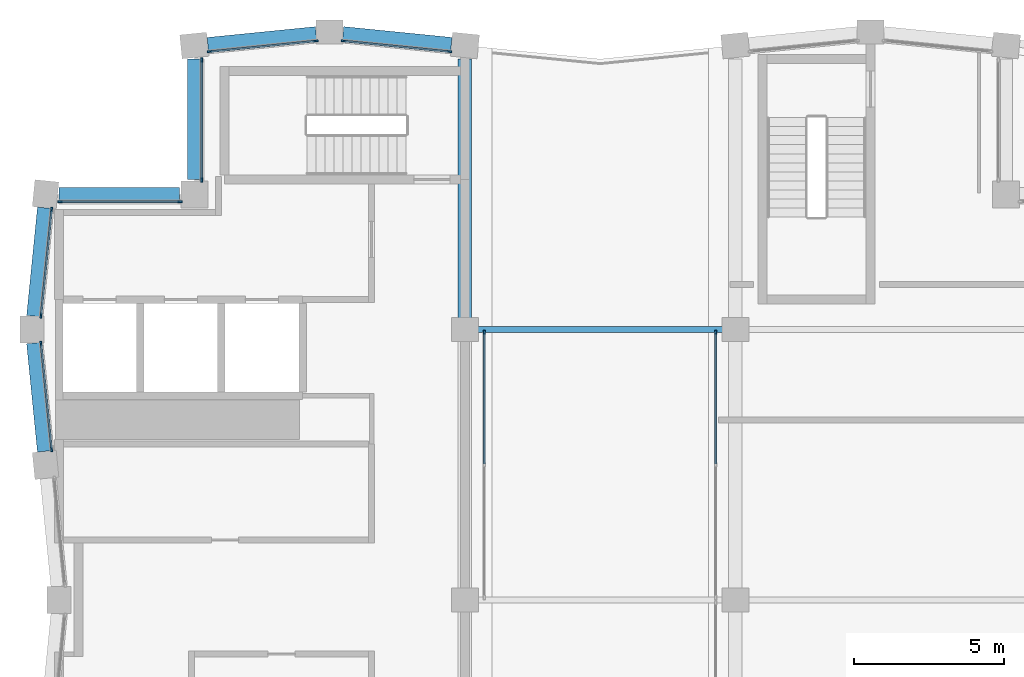
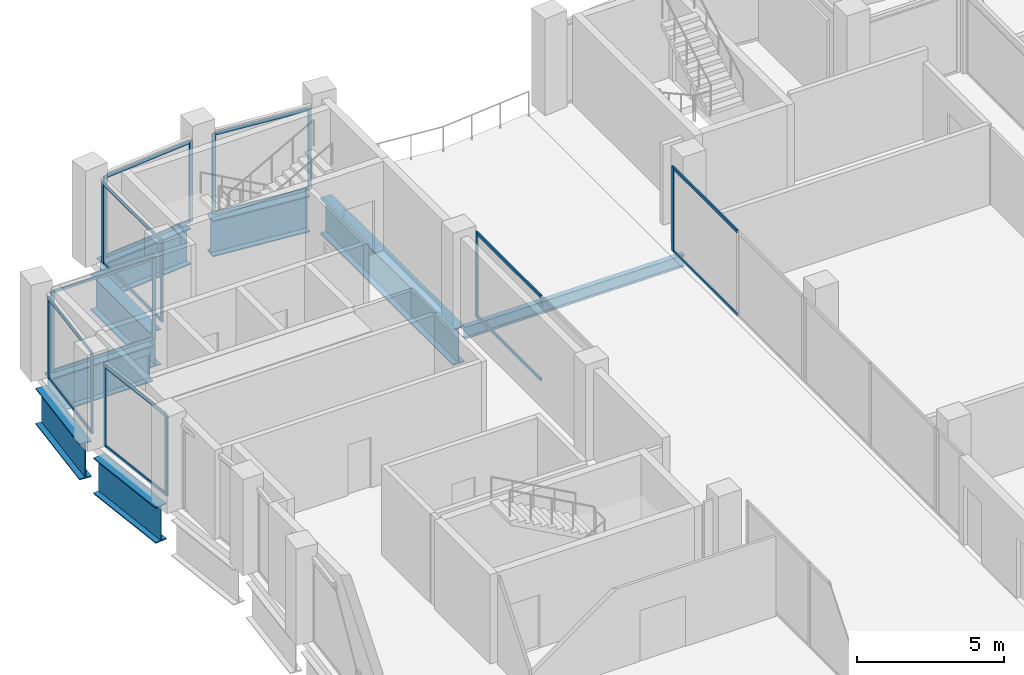
# One storey, part 8 of 14: 30 members, 8 beams, 8 elements without a shape of their own.
"""IFC4 building model written with IfcOpenShell, lengths in metres."""

from ifc_helpers import new_model, si_unit, direction, frame, origin, origin_2d, place, context, subcontext, project, spatial, rectangle, i_section, extrude, material, material_profile, profile_set, type_object, element, aggregate, save


model = new_model("IFC4")

# Units and contexts
model_context = context("Model", 3, precision=1e-05, world=origin(), true_north=direction((0.0, 1.0)))
body_context = subcontext(model_context, "Body", "Model", "MODEL_VIEW")
ifc_project = project(units=[si_unit("LENGTHUNIT", "METRE"), si_unit("AREAUNIT", "SQUARE_METRE"), si_unit("VOLUMEUNIT", "CUBIC_METRE"), si_unit("PLANEANGLEUNIT", "RADIAN"), si_unit("MASSUNIT", "GRAM", prefix="KILO")], contexts=[model_context])

# Site, building, storey
site_placement = place(None, origin())
site = spatial("IfcSite", under=ifc_project, at=site_placement, CompositionType="ELEMENT")
building_placement = place(site_placement, origin())
building = spatial("IfcBuilding", under=site, at=building_placement, Name="Brondeck Convention Tower", CompositionType="ELEMENT")
storey_placement = place(building_placement, frame((0.0, 0.0, 282.800048828125)))
storey = spatial("IfcBuildingStorey", under=building, at=storey_placement, Name="L70", CompositionType="ELEMENT", Elevation=282.800048828125)

# Curtain wall, member
ifc_material_1 = material(Name="Aluminium, bronze anodised", Category="aluminium")
curtain_wall_type = type_object("IfcCurtainWallType", Name="Crown screen curtain wall", PredefinedType="NOTDEFINED", material=ifc_material_1)
curtain_wall_1_placement = place(storey_placement, origin())
curtain_wall_1 = element("IfcCurtainWall", 1, at=curtain_wall_1_placement, inside=storey, type_object=curtain_wall_type, Name="ENV-CW4-L70-K1-SLOT-W-05", PredefinedType="NOTDEFINED")
ifc_material_profile_1 = material_profile(ifc_material_1, rectangle(XDim=0.06005859375, YDim=0.139892578125, at=origin_2d()), Name="CW4 mullion")
ifc_profile_set_1 = profile_set([ifc_material_profile_1], Name="Aluminium, bronze anodised")
member_type_1 = type_object("IfcMemberType", Name="CW4 mullion", PredefinedType="MULLION", material=ifc_profile_set_1)
member_1_placement = place(storey_placement, frame((14.14990234375, 53.909912109375, 0.0), z_axis=(0.0, 0.0, 1.0), x_axis=(1.0, 0.0, 0.0)))
member_1 = element("IfcMember", 2, at=member_1_placement, type_object=member_type_1, Name="CW4 mullion 1", PredefinedType="MULLION", context=body_context, shape_type="SweptSolid", body=[
    extrude(rectangle(XDim=0.06005859375, YDim=0.139892578125, at=origin_2d()), origin(), (0.0, 0.0, 1.0), 3.5),
])

# Curtain wall, members
curtain_wall_2_placement = place(storey_placement, origin())
curtain_wall_2 = element("IfcCurtainWall", 3, at=curtain_wall_2_placement, inside=storey, type_object=curtain_wall_type, Name="ENV-CW4-L70-K1-A-N-02", PredefinedType="NOTDEFINED")
member_2_placement = place(storey_placement, frame((9.45263671875, 63.603515625, 0.0), z_axis=(0.0, 0.0, 1.0), x_axis=(0.099517385048, 0.995035823513, 0.0)))
member_2 = element("IfcMember", 4, at=member_2_placement, type_object=member_type_1, Name="CW4 mullion 1", PredefinedType="MULLION", context=body_context, shape_type="SweptSolid", body=[
    extrude(rectangle(XDim=0.06005859375, YDim=0.139892578125, at=origin_2d()), origin(), (0.0, 0.0, 1.0), 3.349853515625),
])
member_3_placement = place(storey_placement, frame((12.99755859375, 63.2490234375, 0.0), z_axis=(0.0, 0.0, 1.0), x_axis=(0.099517385048, 0.995035823513, 0.0)))
member_3 = element("IfcMember", 5, at=member_3_placement, type_object=member_type_1, Name="CW4 mullion 2", PredefinedType="MULLION", context=body_context, shape_type="SweptSolid", body=[
    extrude(rectangle(XDim=0.06005859375, YDim=0.139892578125, at=origin_2d()), origin(), (0.0, 0.0, 1.0), 3.349853515625),
])

curtain_wall_3_placement = place(storey_placement, origin())
curtain_wall_3 = element("IfcCurtainWall", 6, at=curtain_wall_3_placement, inside=storey, type_object=curtain_wall_type, Name="ENV-CW4-L70-K1-A-N-01", PredefinedType="NOTDEFINED")
member_4_placement = place(storey_placement, frame((5.00244140625, 63.2490234375, 0.0), z_axis=(0.0, 0.0, 1.0), x_axis=(-0.099517385048, 0.995035823513, 0.0)))
member_4 = element("IfcMember", 7, at=member_4_placement, type_object=member_type_1, Name="CW4 mullion 1", PredefinedType="MULLION", context=body_context, shape_type="SweptSolid", body=[
    extrude(rectangle(XDim=0.06005859375, YDim=0.139892578125, at=origin_2d()), origin(), (0.0, 0.0, 1.0), 3.349853515625),
])
member_5_placement = place(storey_placement, frame((8.54736328125, 63.603515625, 0.0), z_axis=(0.0, 0.0, 1.0), x_axis=(-0.099517385048, 0.995035823513, 0.0)))
member_5 = element("IfcMember", 8, at=member_5_placement, type_object=member_type_1, Name="CW4 mullion 2", PredefinedType="MULLION", context=body_context, shape_type="SweptSolid", body=[
    extrude(rectangle(XDim=0.06005859375, YDim=0.139892578125, at=origin_2d()), origin(), (0.0, 0.0, 1.0), 3.349853515625),
])

curtain_wall_4_placement = place(storey_placement, origin())
curtain_wall_4 = element("IfcCurtainWall", 9, at=curtain_wall_4_placement, inside=storey, type_object=curtain_wall_type, Name="ENV-CW4-L70-K1-NC-NW-01", PredefinedType="NOTDEFINED")
member_6_placement = place(storey_placement, frame((4.75, 58.97998046875, 0.0), z_axis=(0.0, 0.0, 1.0), x_axis=(-1.0, 0.0, 0.0)))
member_6 = element("IfcMember", 10, at=member_6_placement, type_object=member_type_1, Name="CW4 mullion 1", PredefinedType="MULLION", context=body_context, shape_type="SweptSolid", body=[
    extrude(rectangle(XDim=0.06005859375, YDim=0.139892578125, at=origin_2d()), origin(), (0.0, 0.0, 1.0), 3.349853515625),
])
member_7_placement = place(storey_placement, frame((4.75, 62.969970703125, 0.0), z_axis=(0.0, 0.0, 1.0), x_axis=(-1.0, 0.0, 0.0)))
member_7 = element("IfcMember", 11, at=member_7_placement, type_object=member_type_1, Name="CW4 mullion 2", PredefinedType="MULLION", context=body_context, shape_type="SweptSolid", body=[
    extrude(rectangle(XDim=0.06005859375, YDim=0.139892578125, at=origin_2d()), origin(), (0.0, 0.0, 1.0), 3.349853515625),
])

curtain_wall_5_placement = place(storey_placement, origin())
curtain_wall_5 = element("IfcCurtainWall", 12, at=curtain_wall_5_placement, inside=storey, type_object=curtain_wall_type, Name="ENV-CW4-L70-K1-NC-NW-02", PredefinedType="NOTDEFINED")
member_8_placement = place(storey_placement, frame((0.030029296875, 58.25, 0.0), z_axis=(0.0, 0.0, 1.0), x_axis=(0.0, 1.0, 0.0)))
member_8 = element("IfcMember", 13, at=member_8_placement, type_object=member_type_1, Name="CW4 mullion 1", PredefinedType="MULLION", context=body_context, shape_type="SweptSolid", body=[
    extrude(rectangle(XDim=0.06005859375, YDim=0.139892578125, at=origin_2d()), origin(), (0.0, 0.0, 1.0), 3.349853515625),
])
member_9_placement = place(storey_placement, frame((4.02001953125, 58.25, 0.0), z_axis=(0.0, 0.0, 1.0), x_axis=(0.0, 1.0, 0.0)))
member_9 = element("IfcMember", 14, at=member_9_placement, type_object=member_type_1, Name="CW4 mullion 2", PredefinedType="MULLION", context=body_context, shape_type="SweptSolid", body=[
    extrude(rectangle(XDim=0.06005859375, YDim=0.139892578125, at=origin_2d()), origin(), (0.0, 0.0, 1.0), 3.349853515625),
])

curtain_wall_6_placement = place(storey_placement, origin())
curtain_wall_6 = element("IfcCurtainWall", 15, at=curtain_wall_6_placement, inside=storey, type_object=curtain_wall_type, Name="ENV-CW4-L70-K1-B-W-01", PredefinedType="NOTDEFINED")
member_10_placement = place(storey_placement, frame((-0.603515625, 54.45263671875, 0.0), z_axis=(0.0, 0.0, 1.0), x_axis=(-0.995035823513, 0.099517385048, 0.0)))
member_10 = element("IfcMember", 16, at=member_10_placement, type_object=member_type_1, Name="CW4 mullion 1", PredefinedType="MULLION", context=body_context, shape_type="SweptSolid", body=[
    extrude(rectangle(XDim=0.06005859375, YDim=0.139892578125, at=origin_2d()), origin(), (0.0, 0.0, 1.0), 3.349853515625),
])
member_11_placement = place(storey_placement, frame((-0.2490234375, 57.99755859375, 0.0), z_axis=(0.0, 0.0, 1.0), x_axis=(-0.995035823513, 0.099517385048, 0.0)))
member_11 = element("IfcMember", 17, at=member_11_placement, type_object=member_type_1, Name="CW4 mullion 2", PredefinedType="MULLION", context=body_context, shape_type="SweptSolid", body=[
    extrude(rectangle(XDim=0.06005859375, YDim=0.139892578125, at=origin_2d()), origin(), (0.0, 0.0, 1.0), 3.349853515625),
])

curtain_wall_7_placement = place(storey_placement, origin())
curtain_wall_7 = element("IfcCurtainWall", 18, at=curtain_wall_7_placement, inside=storey, type_object=curtain_wall_type, Name="ENV-CW4-L70-K1-B-W-02", PredefinedType="NOTDEFINED")
member_12_placement = place(storey_placement, frame((-0.2490234375, 50.00244140625, 0.0), z_axis=(0.0, 0.0, 1.0), x_axis=(-0.995035823513, -0.099517385048, 0.0)))
member_12 = element("IfcMember", 19, at=member_12_placement, type_object=member_type_1, Name="CW4 mullion 1", PredefinedType="MULLION", context=body_context, shape_type="SweptSolid", body=[
    extrude(rectangle(XDim=0.06005859375, YDim=0.139892578125, at=origin_2d()), origin(), (0.0, 0.0, 1.0), 3.349853515625),
])
member_13_placement = place(storey_placement, frame((-0.603515625, 53.54736328125, 0.0), z_axis=(0.0, 0.0, 1.0), x_axis=(-0.995035823513, -0.099517385048, 0.0)))
member_13 = element("IfcMember", 20, at=member_13_placement, type_object=member_type_1, Name="CW4 mullion 2", PredefinedType="MULLION", context=body_context, shape_type="SweptSolid", body=[
    extrude(rectangle(XDim=0.06005859375, YDim=0.139892578125, at=origin_2d()), origin(), (0.0, 0.0, 1.0), 3.349853515625),
])

# Curtain wall, member
curtain_wall_8_placement = place(storey_placement, origin())
curtain_wall_8 = element("IfcCurtainWall", 21, at=curtain_wall_8_placement, inside=storey, type_object=curtain_wall_type, Name="ENV-CW4-L70-K2-SLOT-E-03", PredefinedType="NOTDEFINED")
member_14_placement = place(storey_placement, frame((21.85009765625, 53.909912109375, 0.0), z_axis=(0.0, 0.0, 1.0), x_axis=(-1.0, 0.0, 0.0)))
member_14 = element("IfcMember", 22, at=member_14_placement, type_object=member_type_1, Name="CW4 mullion 3", PredefinedType="MULLION", context=body_context, shape_type="SweptSolid", body=[
    extrude(rectangle(XDim=0.06005859375, YDim=0.139892578125, at=origin_2d()), origin(), (0.0, 0.0, 1.0), 3.5),
])

# Member
ifc_material_profile_2 = material_profile(ifc_material_1, rectangle(XDim=0.06005859375, YDim=0.1201171875, at=origin_2d()), Name="CW4 transom")
ifc_profile_set_2 = profile_set([ifc_material_profile_2], Name="Aluminium, bronze anodised")
member_type_2 = type_object("IfcMemberType", Name="CW4 transom", PredefinedType="USERDEFINED", material=ifc_profile_set_2)
member_15_placement = place(storey_placement, frame((14.14990234375, 53.8798828125, 0.030029296875), z_axis=(0.0, -1.0, 0.0), x_axis=(1.0, 0.0, 0.0)))
member_15 = element("IfcMember", 23, at=member_15_placement, type_object=member_type_2, Name="CW4 transom 1.1", ObjectType="TRANSOM", PredefinedType="USERDEFINED", context=body_context, shape_type="SweptSolid", body=[
    extrude(rectangle(XDim=0.06005859375, YDim=0.1201171875, at=origin_2d()), origin(), (0.0, 0.0, 1.0), 4.349853515625),
])

member_16_placement = place(storey_placement, frame((14.14990234375, 53.8798828125, 3.469970703125), z_axis=(0.0, -1.0, 0.0), x_axis=(1.0, 0.0, 0.0)))
member_16 = element("IfcMember", 24, at=member_16_placement, type_object=member_type_2, Name="CW4 transom 1.2", ObjectType="TRANSOM", PredefinedType="USERDEFINED", context=body_context, shape_type="SweptSolid", body=[
    extrude(rectangle(XDim=0.06005859375, YDim=0.1201171875, at=origin_2d()), origin(), (0.0, 0.0, 1.0), 4.349853515625),
])

aggregate(curtain_wall_1, [member_1, member_15, member_16])

member_17_placement = place(storey_placement, frame((9.482666015625, 63.6005859375, 0.030029296875), z_axis=(0.995033738887, -0.099538226209, 0.0), x_axis=(0.099538226209, 0.995033738887, 0.0)))
member_17 = element("IfcMember", 25, at=member_17_placement, type_object=member_type_2, Name="CW4 transom 1.1", ObjectType="TRANSOM", PredefinedType="USERDEFINED", context=body_context, shape_type="SweptSolid", body=[
    extrude(rectangle(XDim=0.06005859375, YDim=0.1201171875, at=origin_2d()), origin(), (0.0, 0.0, 1.0), 3.50244140625),
])

member_18_placement = place(storey_placement, frame((9.482666015625, 63.6005859375, 3.320068359375), z_axis=(0.995033738887, -0.099538226209, 0.0), x_axis=(0.099538226209, 0.995033738887, 0.0)))
member_18 = element("IfcMember", 26, at=member_18_placement, type_object=member_type_2, Name="CW4 transom 1.2", ObjectType="TRANSOM", PredefinedType="USERDEFINED", context=body_context, shape_type="SweptSolid", body=[
    extrude(rectangle(XDim=0.06005859375, YDim=0.1201171875, at=origin_2d()), origin(), (0.0, 0.0, 1.0), 3.50244140625),
])

aggregate(curtain_wall_2, [member_2, member_3, member_17, member_18])

member_19_placement = place(storey_placement, frame((5.0322265625, 63.251953125, 0.030029296875), z_axis=(0.995033738887, 0.099538226209, 0.0), x_axis=(-0.099538226209, 0.995033738887, 0.0)))
member_19 = element("IfcMember", 27, at=member_19_placement, type_object=member_type_2, Name="CW4 transom 1.1", ObjectType="TRANSOM", PredefinedType="USERDEFINED", context=body_context, shape_type="SweptSolid", body=[
    extrude(rectangle(XDim=0.06005859375, YDim=0.1201171875, at=origin_2d()), origin(), (0.0, 0.0, 1.0), 3.50244140625),
])

member_20_placement = place(storey_placement, frame((5.0322265625, 63.251953125, 3.320068359375), z_axis=(0.995033738887, 0.099538226209, 0.0), x_axis=(-0.099538226209, 0.995033738887, 0.0)))
member_20 = element("IfcMember", 28, at=member_20_placement, type_object=member_type_2, Name="CW4 transom 1.2", ObjectType="TRANSOM", PredefinedType="USERDEFINED", context=body_context, shape_type="SweptSolid", body=[
    extrude(rectangle(XDim=0.06005859375, YDim=0.1201171875, at=origin_2d()), origin(), (0.0, 0.0, 1.0), 3.50244140625),
])

aggregate(curtain_wall_3, [member_4, member_5, member_19, member_20])

member_21_placement = place(storey_placement, frame((4.75, 59.010009765625, 0.030029296875), z_axis=(0.0, 1.0, 0.0), x_axis=(-1.0, 0.0, 0.0)))
member_21 = element("IfcMember", 29, at=member_21_placement, type_object=member_type_2, Name="CW4 transom 1.1", ObjectType="TRANSOM", PredefinedType="USERDEFINED", context=body_context, shape_type="SweptSolid", body=[
    extrude(rectangle(XDim=0.06005859375, YDim=0.1201171875, at=origin_2d()), origin(), (0.0, 0.0, 1.0), 3.929931640625),
])

member_22_placement = place(storey_placement, frame((4.75, 59.010009765625, 3.320068359375), z_axis=(0.0, 1.0, 0.0), x_axis=(-1.0, 0.0, 0.0)))
member_22 = element("IfcMember", 30, at=member_22_placement, type_object=member_type_2, Name="CW4 transom 1.2", ObjectType="TRANSOM", PredefinedType="USERDEFINED", context=body_context, shape_type="SweptSolid", body=[
    extrude(rectangle(XDim=0.06005859375, YDim=0.1201171875, at=origin_2d()), origin(), (0.0, 0.0, 1.0), 3.929931640625),
])

aggregate(curtain_wall_4, [member_6, member_7, member_21, member_22])

member_23_placement = place(storey_placement, frame((0.06005859375, 58.25, 0.030029296875), z_axis=(1.0, 0.0, 0.0), x_axis=(0.0, 1.0, 0.0)))
member_23 = element("IfcMember", 31, at=member_23_placement, type_object=member_type_2, Name="CW4 transom 1.1", ObjectType="TRANSOM", PredefinedType="USERDEFINED", context=body_context, shape_type="SweptSolid", body=[
    extrude(rectangle(XDim=0.06005859375, YDim=0.1201171875, at=origin_2d()), origin(), (0.0, 0.0, 1.0), 3.929931640625),
])

member_24_placement = place(storey_placement, frame((0.06005859375, 58.25, 3.320068359375), z_axis=(1.0, 0.0, 0.0), x_axis=(0.0, 1.0, 0.0)))
member_24 = element("IfcMember", 32, at=member_24_placement, type_object=member_type_2, Name="CW4 transom 1.2", ObjectType="TRANSOM", PredefinedType="USERDEFINED", context=body_context, shape_type="SweptSolid", body=[
    extrude(rectangle(XDim=0.06005859375, YDim=0.1201171875, at=origin_2d()), origin(), (0.0, 0.0, 1.0), 3.929931640625),
])

aggregate(curtain_wall_5, [member_8, member_9, member_23, member_24])

member_25_placement = place(storey_placement, frame((-0.6005859375, 54.482666015625, 0.030029296875), z_axis=(0.099538226209, 0.995033738887, 0.0), x_axis=(-0.995033738887, 0.099538226209, 0.0)))
member_25 = element("IfcMember", 33, at=member_25_placement, type_object=member_type_2, Name="CW4 transom 1.1", ObjectType="TRANSOM", PredefinedType="USERDEFINED", context=body_context, shape_type="SweptSolid", body=[
    extrude(rectangle(XDim=0.06005859375, YDim=0.1201171875, at=origin_2d()), origin(), (0.0, 0.0, 1.0), 3.50244140625),
])

member_26_placement = place(storey_placement, frame((-0.6005859375, 54.482666015625, 3.320068359375), z_axis=(0.099538226209, 0.995033738887, 0.0), x_axis=(-0.995033738887, 0.099538226209, 0.0)))
member_26 = element("IfcMember", 34, at=member_26_placement, type_object=member_type_2, Name="CW4 transom 1.2", ObjectType="TRANSOM", PredefinedType="USERDEFINED", context=body_context, shape_type="SweptSolid", body=[
    extrude(rectangle(XDim=0.06005859375, YDim=0.1201171875, at=origin_2d()), origin(), (0.0, 0.0, 1.0), 3.50244140625),
])

aggregate(curtain_wall_6, [member_10, member_11, member_25, member_26])

member_27_placement = place(storey_placement, frame((-0.251953125, 50.0322265625, 0.030029296875), z_axis=(-0.099538226209, 0.995033738887, 0.0), x_axis=(-0.995033738887, -0.099538226209, 0.0)))
member_27 = element("IfcMember", 35, at=member_27_placement, type_object=member_type_2, Name="CW4 transom 1.1", ObjectType="TRANSOM", PredefinedType="USERDEFINED", context=body_context, shape_type="SweptSolid", body=[
    extrude(rectangle(XDim=0.06005859375, YDim=0.1201171875, at=origin_2d()), origin(), (0.0, 0.0, 1.0), 3.50244140625),
])

member_28_placement = place(storey_placement, frame((-0.251953125, 50.0322265625, 3.320068359375), z_axis=(-0.099538226209, 0.995033738887, 0.0), x_axis=(-0.995033738887, -0.099538226209, 0.0)))
member_28 = element("IfcMember", 36, at=member_28_placement, type_object=member_type_2, Name="CW4 transom 1.2", ObjectType="TRANSOM", PredefinedType="USERDEFINED", context=body_context, shape_type="SweptSolid", body=[
    extrude(rectangle(XDim=0.06005859375, YDim=0.1201171875, at=origin_2d()), origin(), (0.0, 0.0, 1.0), 3.50244140625),
])

aggregate(curtain_wall_7, [member_12, member_13, member_27, member_28])

member_29_placement = place(storey_placement, frame((21.85009765625, 49.530029296875, 0.030029296875), z_axis=(0.0, 1.0, 0.0), x_axis=(-1.0, 0.0, 0.0)))
member_29 = element("IfcMember", 37, at=member_29_placement, type_object=member_type_2, Name="CW4 transom 2.1", ObjectType="TRANSOM", PredefinedType="USERDEFINED", context=body_context, shape_type="SweptSolid", body=[
    extrude(rectangle(XDim=0.06005859375, YDim=0.1201171875, at=origin_2d()), origin(), (0.0, 0.0, 1.0), 4.349853515625),
])

member_30_placement = place(storey_placement, frame((21.85009765625, 49.530029296875, 3.469970703125), z_axis=(0.0, 1.0, 0.0), x_axis=(-1.0, 0.0, 0.0)))
member_30 = element("IfcMember", 38, at=member_30_placement, type_object=member_type_2, Name="CW4 transom 2.2", ObjectType="TRANSOM", PredefinedType="USERDEFINED", context=body_context, shape_type="SweptSolid", body=[
    extrude(rectangle(XDim=0.06005859375, YDim=0.1201171875, at=origin_2d()), origin(), (0.0, 0.0, 1.0), 4.349853515625),
])

aggregate(curtain_wall_8, [member_14, member_29, member_30])

# Beams
ifc_material_2 = material(Name="Steel S355", Category="steel")
ifc_material_profile_3 = material_profile(ifc_material_2, i_section(OverallWidth=0.199951171875, OverallDepth=0.5, WebThickness=0.01025390625, FlangeThickness=0.01611328125, FilletRadius=0.02099609375, at=origin_2d()), Name="IPE 500")
ifc_profile_set_3 = profile_set([ifc_material_profile_3], Name="Steel S355")
beam_type_1 = type_object("IfcBeamType", Name="Crown frame Floor beam IPE 500", PredefinedType="BEAM", material=ifc_profile_set_3)
beam_1_placement = place(storey_placement, frame((13.695068359375, 54.0, -0.550048828125), z_axis=(1.0, 0.0, 0.0), x_axis=(0.0, 1.0, 0.0)))
element("IfcBeam", 39, at=beam_1_placement, inside=storey, type_object=beam_type_1, Name="STR-FB-L70-S4-SLOT-003", PredefinedType="BEAM", context=body_context, shape_type="SweptSolid", body=[
    extrude(i_section(OverallWidth=0.199951171875, OverallDepth=0.5, WebThickness=0.01025390625, FlangeThickness=0.01611328125, FilletRadius=0.02099609375, at=origin_2d()), origin(), (0.0, 0.0, 1.0), 8.60986328125),
])
ifc_material_3 = material(Name="Steel S460", Category="steel")
ifc_material_profile_4 = material_profile(ifc_material_3, i_section(OverallWidth=0.449951171875, OverallDepth=1.5, WebThickness=0.02490234375, FlangeThickness=0.044921875, at=origin_2d()), Name="PG 1500x450")
ifc_profile_set_4 = profile_set([ifc_material_profile_4], Name="Steel S460")
beam_type_2 = type_object("IfcBeamType", Name="Crown frame Transfer girder PG 1500x450", PredefinedType="BEAM", material=ifc_profile_set_4)
beam_2_placement = place(storey_placement, frame((13.5, 54.0, -1.050048828125), z_axis=(0.0, 1.0, 0.0), x_axis=(-1.0, 0.0, 0.0)))
element("IfcBeam", 40, at=beam_2_placement, inside=storey, type_object=beam_type_2, Name="Crown transfer girder PG-L70K1-9", PredefinedType="BEAM", context=body_context, shape_type="SweptSolid", body=[
    extrude(i_section(OverallWidth=0.449951171875, OverallDepth=1.5, WebThickness=0.02490234375, FlangeThickness=0.044921875, at=origin_2d()), origin(), (0.0, 0.0, 1.0), 8.997802734375),
])
for number, where, z_axis, x_axis, name in (
    (41, (13.05224609375, 63.494873046875, -1.050048828125), (-0.995040528141, 0.099470334057, 0.0), (-0.099470334057, -0.995040528141, 0.0), "Crown transfer girder PG-L70K1-10"),
    (42, (8.550048828125, 63.85498046875, -1.050048828125), (-0.995040528141, -0.099470334057, 0.0), (0.099470334057, -0.995040528141, 0.0), "Crown transfer girder PG-L70K1-11"),
):
    element("IfcBeam", number, at=place(storey_placement, frame(where, z_axis=z_axis, x_axis=x_axis)), inside=storey, type_object=beam_type_2, Name=name, PredefinedType="BEAM", context=body_context, shape_type="SweptSolid", body=[
        extrude(i_section(OverallWidth=0.449951171875, OverallDepth=1.5, WebThickness=0.02490234375, FlangeThickness=0.044921875, at=origin_2d()), origin(), (0.0, 0.0, 1.0), 3.620361328125),
    ])
for number, where, z_axis, x_axis, name in (
    (43, (4.5, 62.997802734375, -1.050048828125), (0.0, -1.0, 0.0), (1.0, 0.0, 0.0), "Crown transfer girder PG-L70K1-12"),
    (44, (4.0, 58.5, -1.050048828125), (-1.0, 0.0, 0.0), (0.0, -1.0, 0.0), "Crown transfer girder PG-L70K1-13"),
):
    element("IfcBeam", number, at=place(storey_placement, frame(where, z_axis=z_axis, x_axis=x_axis)), inside=storey, type_object=beam_type_2, Name=name, PredefinedType="BEAM", context=body_context, shape_type="SweptSolid", body=[
        extrude(i_section(OverallWidth=0.449951171875, OverallDepth=1.5, WebThickness=0.02490234375, FlangeThickness=0.044921875, at=origin_2d()), origin(), (0.0, 0.0, 1.0), 3.997802734375),
    ])
for number, where, z_axis, x_axis, name in (
    (45, (-0.494873046875, 58.05224609375, -1.050048828125), (-0.099470334057, -0.995040528141, 0.0), (0.995040528141, -0.099470334057, 0.0), "Crown transfer girder PG-L70K1-14"),
    (46, (-0.85498046875, 53.550048828125, -1.050048828125), (0.099470334057, -0.995040528141, 0.0), (0.995040528141, 0.099470334057, 0.0), "Crown transfer girder PG-L70K1-15"),
):
    element("IfcBeam", number, at=place(storey_placement, frame(where, z_axis=z_axis, x_axis=x_axis)), inside=storey, type_object=beam_type_2, Name=name, PredefinedType="BEAM", context=body_context, shape_type="SweptSolid", body=[
        extrude(i_section(OverallWidth=0.449951171875, OverallDepth=1.5, WebThickness=0.02490234375, FlangeThickness=0.044921875, at=origin_2d()), origin(), (0.0, 0.0, 1.0), 3.620361328125),
    ])

save(model, "model.ifc")
